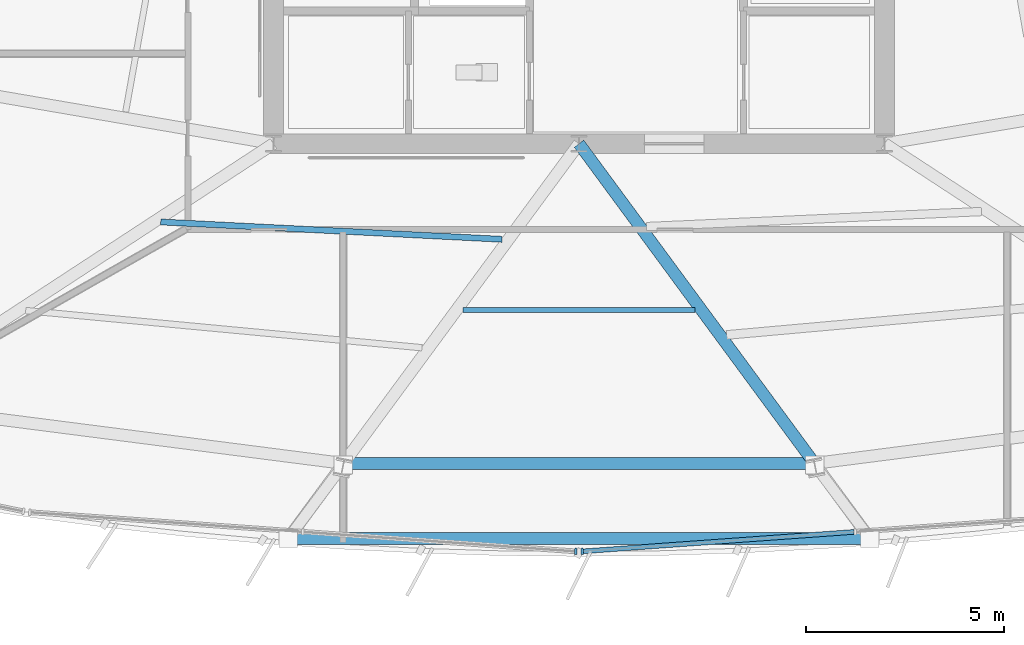
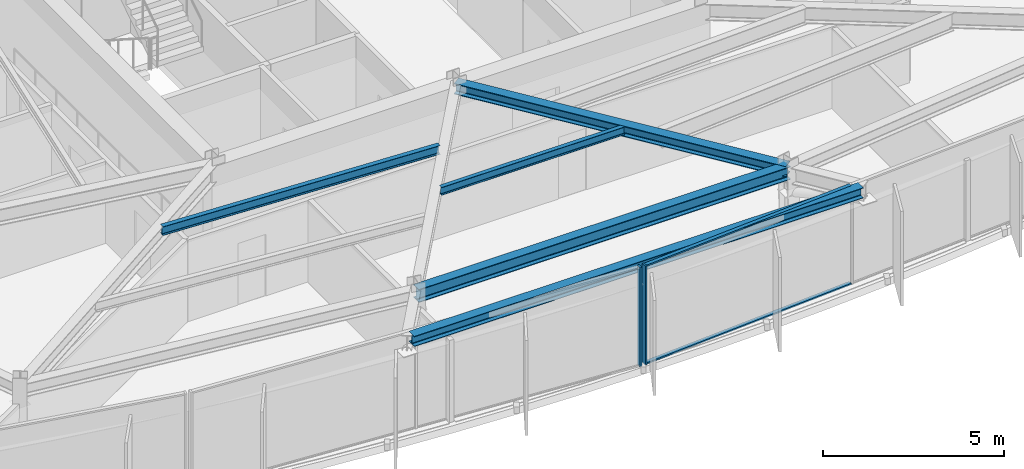
# One storey, part 3 of 16: 5 beams, 4 members, 2 elements without a shape of their own.
"""IFC4 building model written with IfcOpenShell, lengths in metres."""

from ifc_helpers import new_model, si_unit, direction, frame, origin, origin_2d, place, context, subcontext, project, spatial, rectangle, i_section, extrude, material, material_profile, profile_set, type_object, element, aggregate, save


model = new_model("IFC4")

# Units and contexts
model_context = context("Model", 3, precision=1e-05, world=origin(), true_north=direction((0.0, 1.0)))
body_context = subcontext(model_context, "Body", "Model", "MODEL_VIEW")
ifc_project = project(units=[si_unit("LENGTHUNIT", "METRE"), si_unit("AREAUNIT", "SQUARE_METRE"), si_unit("VOLUMEUNIT", "CUBIC_METRE"), si_unit("PLANEANGLEUNIT", "RADIAN"), si_unit("MASSUNIT", "GRAM", prefix="KILO")], contexts=[model_context])

# Site, building, storey
site_placement = place(None, origin())
site = spatial("IfcSite", under=ifc_project, at=site_placement, CompositionType="ELEMENT")
building_placement = place(site_placement, origin())
building = spatial("IfcBuilding", under=site, at=building_placement, Name="Savorim Split Tower", CompositionType="ELEMENT")
storey_placement = place(building_placement, frame((0.0, 0.0, 156.60009765625)))
storey = spatial("IfcBuildingStorey", under=building, at=storey_placement, Name="L41", CompositionType="ELEMENT", Elevation=156.60009765625)

# Beams
ifc_material_1 = material(Name="Steel S355", Category="steel")
ifc_material_profile_1 = material_profile(ifc_material_1, i_section(OverallWidth=0.135009765625, OverallDepth=0.27001953125, WebThickness=0.006591796875, FlangeThickness=0.01025390625, FilletRadius=0.014892578125, at=origin_2d()), Name="IPE 270")
ifc_profile_set_1 = profile_set([ifc_material_profile_1], Name="Steel S355")
beam_type_1 = type_object("IfcBeamType", Name="BM-JST-IPE270", PredefinedType="JOIST", material=ifc_profile_set_1)
beam_1_placement = place(storey_placement, frame((-2.926513671875, -13.59033203125, 3.21484375), z_axis=(1.0, 0.0, 0.0), x_axis=(0.0, 1.0, 0.0)))
element("IfcBeam", 1, at=beam_1_placement, inside=storey, type_object=beam_type_1, Name="L41 Secondary Floor Joist JS-03", PredefinedType="JOIST", context=body_context, shape_type="SweptSolid", body=[
    extrude(i_section(OverallWidth=0.135009765625, OverallDepth=0.27001953125, WebThickness=0.006591796875, FlangeThickness=0.01025390625, FilletRadius=0.014892578125, at=origin_2d()), origin(), (0.0, 0.0, 1.0), 5.85302734375),
])
ifc_material_profile_2 = material_profile(ifc_material_1, i_section(OverallWidth=0.14990234375, OverallDepth=0.300048828125, WebThickness=0.007080078125, FlangeThickness=0.0107421875, FilletRadius=0.014892578125, at=origin_2d()), Name="IPE 300")
ifc_profile_set_2 = profile_set([ifc_material_profile_2], Name="Steel S355")
beam_type_2 = type_object("IfcBeamType", Name="BM-JST-IPE300", PredefinedType="JOIST", material=ifc_profile_set_2)
beam_2_placement = place(storey_placement, frame((-10.54345703125, -11.3720703125, 3.199951171875), z_axis=(0.998710865458, -0.050760291732, 0.0), x_axis=(0.050760291732, 0.998710865458, 0.0)))
element("IfcBeam", 2, at=beam_2_placement, inside=storey, type_object=beam_type_2, Name="L41 Secondary Floor Joist JS-02", PredefinedType="JOIST", context=body_context, shape_type="SweptSolid", body=[
    extrude(i_section(OverallWidth=0.14990234375, OverallDepth=0.300048828125, WebThickness=0.007080078125, FlangeThickness=0.0107421875, FilletRadius=0.014892578125, at=origin_2d()), origin(), (0.0, 0.0, 1.0), 8.614013671875),
])
ifc_material_profile_3 = material_profile(ifc_material_1, i_section(OverallWidth=0.300048828125, OverallDepth=0.360107421875, WebThickness=0.012451171875, FlangeThickness=0.0224609375, FilletRadius=0.027099609375, at=origin_2d()), Name="HEB 360")
ifc_profile_set_3 = profile_set([ifc_material_profile_3], Name="Steel S355")
beam_type_3 = type_object("IfcBeamType", Name="BM-PRI-HEB360", PredefinedType="BEAM", material=ifc_profile_set_3)
beam_3_placement = place(storey_placement, frame((5.935791015625, -17.45849609375, 3.169921875), z_axis=(-0.593061737906, 0.805156987818, 0.0), x_axis=(-0.805156987818, -0.593061737906, 0.0)))
element("IfcBeam", 3, at=beam_3_placement, inside=storey, type_object=beam_type_3, Name="L41 Primary Floor Girder RG-03", PredefinedType="BEAM", context=body_context, shape_type="SweptSolid", body=[
    extrude(i_section(OverallWidth=0.300048828125, OverallDepth=0.360107421875, WebThickness=0.012451171875, FlangeThickness=0.0224609375, FilletRadius=0.027099609375, at=origin_2d()), origin(), (0.0, 0.0, 1.0), 10.0087890625),
])
ifc_material_profile_4 = material_profile(ifc_material_1, i_section(OverallWidth=0.300048828125, OverallDepth=0.35009765625, WebThickness=0.010009765625, FlangeThickness=0.017578125, FilletRadius=0.027099609375, at=origin_2d()), Name="HEA 360")
ifc_profile_set_4 = profile_set([ifc_material_profile_4], Name="Steel S355")
beam_type_4 = type_object("IfcBeamType", Name="BM-SPN-HEA360", PredefinedType="SPANDREL", material=ifc_profile_set_4)
beam_4_placement = place(storey_placement, frame((-7.16943359375, -19.3505859375, 3.1748046875), z_axis=(1.0, 0.0, 0.0), x_axis=(0.0, 1.0, 0.0)))
element("IfcBeam", 4, at=beam_4_placement, inside=storey, type_object=beam_type_4, Name="L41 Cantilevered Lounge Front Edge Beam", PredefinedType="SPANDREL", context=body_context, shape_type="SweptSolid", body=[
    extrude(i_section(OverallWidth=0.300048828125, OverallDepth=0.35009765625, WebThickness=0.010009765625, FlangeThickness=0.017578125, FilletRadius=0.027099609375, at=origin_2d()), origin(), (0.0, 0.0, 1.0), 14.3388671875),
])
ifc_material_profile_5 = material_profile(ifc_material_1, i_section(OverallWidth=0.300048828125, OverallDepth=0.43994140625, WebThickness=0.011474609375, FlangeThickness=0.02099609375, FilletRadius=0.027099609375, at=origin_2d()), Name="HEA 450")
ifc_profile_set_5 = profile_set([ifc_material_profile_5], Name="Steel S355")
beam_type_5 = type_object("IfcBeamType", Name="BM-SPN-HEA450", PredefinedType="SPANDREL", material=ifc_profile_set_5)
beam_5_placement = place(storey_placement, frame((-5.935791015625, -17.45849609375, 3.1298828125), z_axis=(1.0, 0.0, 0.0), x_axis=(0.0, 1.0, 0.0)))
element("IfcBeam", 5, at=beam_5_placement, inside=storey, type_object=beam_type_5, Name="L41 Perimeter Spandrel Beam 2", PredefinedType="SPANDREL", context=body_context, shape_type="SweptSolid", body=[
    extrude(i_section(OverallWidth=0.300048828125, OverallDepth=0.43994140625, WebThickness=0.011474609375, FlangeThickness=0.02099609375, FilletRadius=0.027099609375, at=origin_2d()), origin(), (0.0, 0.0, 1.0), 11.87158203125),
])

# Curtain wall, member
ifc_material_2 = material(Name="Dark Ceramic-Fritted Insulated Glass", Category="glass")
curtain_wall_type = type_object("IfcCurtainWallType", Name="CW-TWR-FRIT-B", PredefinedType="NOTDEFINED", material=ifc_material_2)
curtain_wall_1_placement = place(storey_placement, origin())
curtain_wall_1 = element("IfcCurtainWall", 6, at=curtain_wall_1_placement, inside=storey, type_object=curtain_wall_type, Name="L41 Curtain Wall CW-L41-SF2", PredefinedType="NOTDEFINED")
ifc_material_3 = material(Name="Charcoal Anodised Aluminium", Category="aluminium")
ifc_material_profile_6 = material_profile(ifc_material_3, rectangle(XDim=0.159912109375, YDim=0.06005859375, at=origin_2d()), Name="ALU-M 160x60")
ifc_profile_set_6 = profile_set([ifc_material_profile_6], Name="Charcoal Anodised Aluminium")
member_type_1 = type_object("IfcMemberType", Name="CWM-160x60", PredefinedType="MULLION", material=ifc_profile_set_6)
member_1_placement = place(storey_placement, frame((-0.081298828125, -19.675537109375, 0.0), z_axis=(0.0, 0.0, 1.0), x_axis=(0.071560918492, 0.997436231017, 0.0)))
member_1 = element("IfcMember", 7, at=member_1_placement, type_object=member_type_1, Name="CW-03 mullion 3", PredefinedType="MULLION", context=body_context, shape_type="SweptSolid", body=[
    extrude(rectangle(XDim=0.159912109375, YDim=0.06005859375, at=origin_2d()), origin(), (0.0, 0.0, 1.0), 3.349853515625),
])
aggregate(curtain_wall_1, [member_1])

# Curtain wall, members
curtain_wall_2_placement = place(storey_placement, origin())
curtain_wall_2 = element("IfcCurtainWall", 8, at=curtain_wall_2_placement, inside=storey, type_object=curtain_wall_type, Name="L41 Curtain Wall CW-L41-SF3", PredefinedType="NOTDEFINED")
member_2_placement = place(storey_placement, frame((0.081298828125, -19.675537109375, 0.0), z_axis=(0.0, 0.0, 1.0), x_axis=(-0.071560918492, 0.997436231017, 0.0)))
member_2 = element("IfcMember", 9, at=member_2_placement, type_object=member_type_1, Name="CW-03 mullion 1", PredefinedType="MULLION", context=body_context, shape_type="SweptSolid", body=[
    extrude(rectangle(XDim=0.159912109375, YDim=0.06005859375, at=origin_2d()), origin(), (0.0, 0.0, 1.0), 3.349853515625),
])
ifc_material_profile_7 = material_profile(ifc_material_3, rectangle(XDim=0.1201171875, YDim=0.050048828125, at=origin_2d()), Name="ALU-T 120x50")
ifc_profile_set_7 = profile_set([ifc_material_profile_7], Name="Charcoal Anodised Aluminium")
member_type_2 = type_object("IfcMemberType", Name="CWT-120x50", PredefinedType="USERDEFINED", material=ifc_profile_set_7)
member_3_placement = place(storey_placement, frame((0.111083984375, -19.67333984375, 0.02490234375), z_axis=(0.99743472164, 0.0715819535, 0.0), x_axis=(-0.0715819535, 0.99743472164, 0.0)))
member_3 = element("IfcMember", 10, at=member_3_placement, type_object=member_type_2, Name="CW-03 transom 1.1", ObjectType="TRANSOM", PredefinedType="USERDEFINED", context=body_context, shape_type="SweptSolid", body=[
    extrude(rectangle(XDim=0.1201171875, YDim=0.050048828125, at=origin_2d()), origin(), (0.0, 0.0, 1.0), 6.83837890625),
])
member_4_placement = place(storey_placement, frame((0.111083984375, -19.67333984375, 3.324951171875), z_axis=(0.99743472164, 0.0715819535, 0.0), x_axis=(-0.0715819535, 0.99743472164, 0.0)))
member_4 = element("IfcMember", 11, at=member_4_placement, type_object=member_type_2, Name="CW-03 transom 1.2", ObjectType="TRANSOM", PredefinedType="USERDEFINED", context=body_context, shape_type="SweptSolid", body=[
    extrude(rectangle(XDim=0.1201171875, YDim=0.050048828125, at=origin_2d()), origin(), (0.0, 0.0, 1.0), 6.83837890625),
])
aggregate(curtain_wall_2, [member_2, member_3, member_4])

save(model, "model.ifc")
